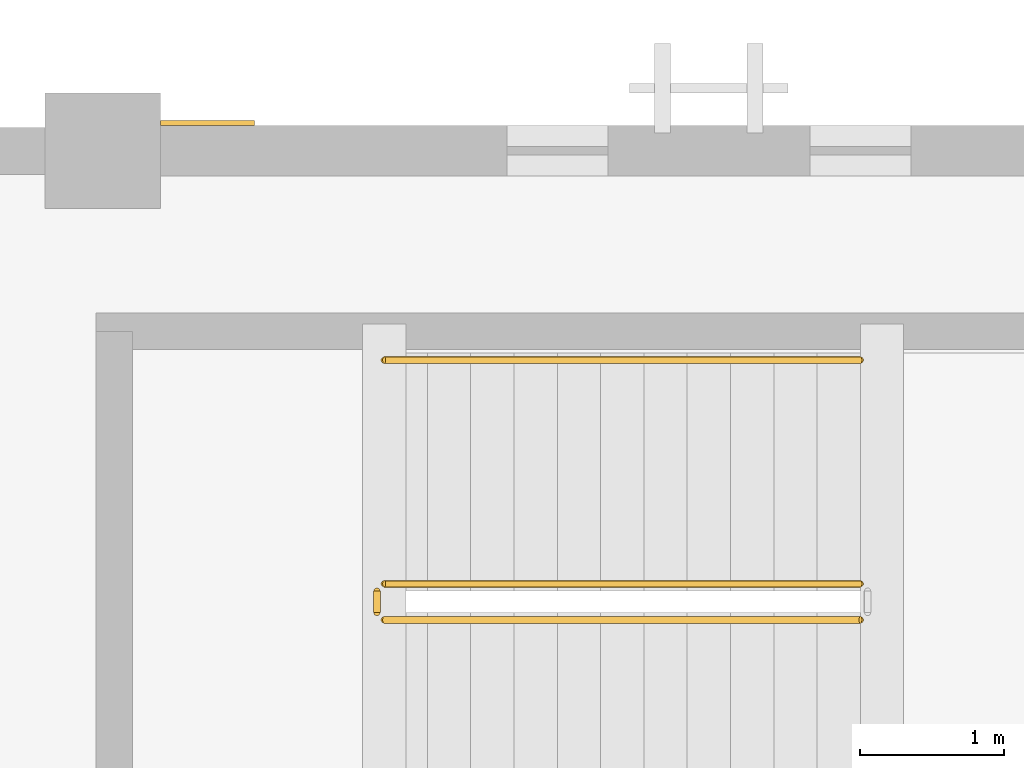
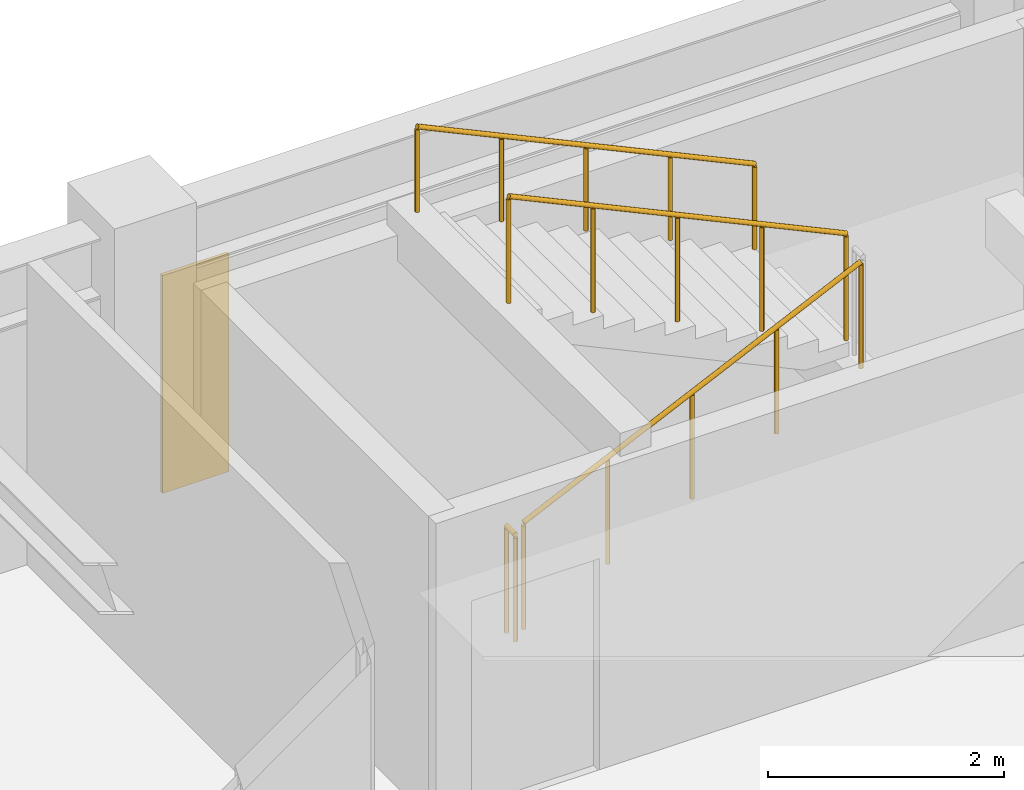
# One storey, part 103 of 111: 4 railings, 1 covering.
"""IFC4 building model written with IfcOpenShell, lengths in metres."""

from ifc_helpers import new_model, si_unit, direction, frame, origin, origin_2d, place, context, subcontext, project, spatial, polyline, circle, outline, extrude, material, layer, layer_set, type_object, element, save


model = new_model("IFC4")

# Units and contexts
model_context = context("Model", 3, precision=1e-05, world=origin(), true_north=direction((0.0, 1.0)))
body_context = subcontext(model_context, "Body", "Model", "MODEL_VIEW")
ifc_project = project(units=[si_unit("LENGTHUNIT", "METRE"), si_unit("AREAUNIT", "SQUARE_METRE"), si_unit("VOLUMEUNIT", "CUBIC_METRE"), si_unit("PLANEANGLEUNIT", "RADIAN"), si_unit("MASSUNIT", "GRAM", prefix="KILO")], contexts=[model_context])

# Site, building, storey
site_placement = place(None, origin())
site = spatial("IfcSite", under=ifc_project, at=site_placement, CompositionType="ELEMENT")
building_placement = place(site_placement, origin())
building = spatial("IfcBuilding", under=site, at=building_placement, Name="Cumbredor Promenade Congress Hotel", CompositionType="ELEMENT")
storey_placement = place(building_placement, frame((0.0, 0.0, 15.1201171875)))
storey = spatial("IfcBuildingStorey", under=building, at=storey_placement, Name="L04", CompositionType="ELEMENT", Elevation=15.1201171875)

# Railings
ifc_material_1 = material(Name="Brushed stainless steel", Category="steel")
railing_type_1 = type_object("IfcRailingType", Name="Interior Void & Stair Guardrail GR-1100", PredefinedType="GUARDRAIL", material=ifc_material_1)
railing_1_placement = place(storey_placement, frame((60.75, 63.949951171875, 0.139892578125)))
element("IfcRailing", 1, at=railing_1_placement, inside=storey, type_object=railing_type_1, Name="L04 ST-07 stair guard 1", PredefinedType="GUARDRAIL", context=body_context, shape_type="SweptSolid", body=[
    extrude(circle(Radius=0.02392578125, at=origin_2d()), frame((0.0, 0.0, 1.09619140625), z_axis=(0.906181427284, 0.0, 0.422889135408), x_axis=(0.0, 1.0, 0.0)), (0.0, 0.0, 1.0), 3.6416015625),
    extrude(circle(Radius=0.02099609375, at=origin_2d()), origin(), (0.0, 0.0, 1.0), 1.072021484375),
    extrude(circle(Radius=0.02099609375, at=origin_2d()), frame((0.824951171875, 0.0, 0.385009765625)), (0.0, 0.0, 1.0), 1.072021484375),
    extrude(circle(Radius=0.02099609375, at=origin_2d()), frame((1.64990234375, 0.0, 0.77001953125)), (0.0, 0.0, 1.0), 1.072021484375),
    extrude(circle(Radius=0.02099609375, at=origin_2d()), frame((2.47509765625, 0.0, 1.155029296875)), (0.0, 0.0, 1.0), 1.072021484375),
    extrude(circle(Radius=0.02099609375, at=origin_2d()), frame((3.300048828125, 0.0, 1.5400390625)), (0.0, 0.0, 1.0), 1.072021484375),
])
railing_2_placement = place(storey_placement, frame((64.050048828125, 64.199951171875, 1.81982421875)))
element("IfcRailing", 2, at=railing_2_placement, inside=storey, type_object=railing_type_1, Name="L04 ST-07 stair guard 3", PredefinedType="GUARDRAIL", context=body_context, shape_type="SweptSolid", body=[
    extrude(circle(Radius=0.02392578125, at=origin_2d()), frame((0.0, 0.0, 1.09619140625), z_axis=(-0.906181427284, 0.0, 0.422889135408), x_axis=(0.0, -1.0, 0.0)), (0.0, 0.0, 1.0), 3.6416015625),
    extrude(circle(Radius=0.02099609375, at=origin_2d()), origin(), (0.0, 0.0, 1.0), 1.072021484375),
    extrude(circle(Radius=0.02099609375, at=origin_2d()), frame((-0.824951171875, 0.0, 0.385009765625)), (0.0, 0.0, 1.0), 1.072021484375),
    extrude(circle(Radius=0.02099609375, at=origin_2d()), frame((-1.64990234375, 0.0, 0.77001953125)), (0.0, 0.0, 1.0), 1.072021484375),
    extrude(circle(Radius=0.02099609375, at=origin_2d()), frame((-2.47509765625, 0.0, 1.155029296875)), (0.0, 0.0, 1.0), 1.072021484375),
    extrude(circle(Radius=0.02099609375, at=origin_2d()), frame((-3.300048828125, 0.0, 1.5400390625)), (0.0, 0.0, 1.0), 1.072021484375),
])
railing_3_placement = place(storey_placement, frame((60.699951171875, 64.0, 0.0)))
element("IfcRailing", 3, at=railing_3_placement, inside=storey, type_object=railing_type_1, Name="L04 ST-07 stair guard 4", PredefinedType="GUARDRAIL", context=body_context, shape_type="SweptSolid", body=[
    extrude(circle(Radius=0.02392578125, at=origin_2d()), frame((0.0, 0.0, 1.09619140625), z_axis=(0.0, 1.0, 0.0), x_axis=(-1.0, 0.0, 0.0)), (0.0, 0.0, 1.0), 0.14990234375),
    extrude(circle(Radius=0.02099609375, at=origin_2d()), origin(), (0.0, 0.0, 1.0), 1.072021484375),
    extrude(circle(Radius=0.02099609375, at=origin_2d()), frame((0.0, 0.14990234375, 0.0)), (0.0, 0.0, 1.0), 1.072021484375),
])
railing_type_2 = type_object("IfcRailingType", Name="Stair Pitch Handrail HR-900", PredefinedType="HANDRAIL", material=ifc_material_1)
railing_4_placement = place(storey_placement, frame((64.050048828125, 65.75, 1.81982421875)))
element("IfcRailing", 4, at=railing_4_placement, inside=storey, type_object=railing_type_2, Name="L04 ST-07 stair handrail 2", PredefinedType="HANDRAIL", context=body_context, shape_type="SweptSolid", body=[
    extrude(circle(Radius=0.02392578125, at=origin_2d()), frame((0.0, 0.0, 0.8759765625), z_axis=(-0.906181427284, 0.0, 0.422889135408), x_axis=(0.0, -1.0, 0.0)), (0.0, 0.0, 1.0), 3.6416015625),
    extrude(circle(Radius=0.02099609375, at=origin_2d()), origin(), (0.0, 0.0, 1.0), 0.851806640625),
    extrude(circle(Radius=0.02099609375, at=origin_2d()), frame((-0.824951171875, 0.0, 0.385009765625)), (0.0, 0.0, 1.0), 0.851806640625),
    extrude(circle(Radius=0.02099609375, at=origin_2d()), frame((-1.64990234375, 0.0, 0.77001953125)), (0.0, 0.0, 1.0), 0.851806640625),
    extrude(circle(Radius=0.02099609375, at=origin_2d()), frame((-2.47509765625, 0.0, 1.155029296875)), (0.0, 0.0, 1.0), 0.851806640625),
    extrude(circle(Radius=0.02099609375, at=origin_2d()), frame((-3.300048828125, 0.0, 1.5400390625)), (0.0, 0.0, 1.0), 0.851806640625),
])

# Covering
ifc_material_2 = material(Name="Volcanic andesite ashlar cladding", Category="masonry")
ifc_layer = layer(ifc_material_2, 0.034912109375, Name="Volcanic andesite ashlar cladding", Category="masonry")
ifc_layer_set = layer_set([ifc_layer], Name="Volcanic andesite ashlar cladding")
covering_type = type_object("IfcCoveringType", Name="Volcanic Andesite Ashlar Rainscreen Cladding 35mm", PredefinedType="CLADDING", material=ifc_layer_set)
covering_placement = place(storey_placement, origin())
element("IfcCovering", 5, at=covering_placement, inside=storey, type_object=covering_type, Name="L04 Facade Stone Cladding Pier 169", PredefinedType="CLADDING", context=body_context, shape_type="SweptSolid", body=[
    extrude(outline(polyline([(59.200927734375, 67.375), (59.85107421875, 67.375), (59.85107421875, 67.409912109375), (59.200927734375, 67.409912109375), (59.200927734375, 67.375)])), origin(), (0.0, 0.0, 1.0), 2.25),
])

save(model, "model.ifc")
